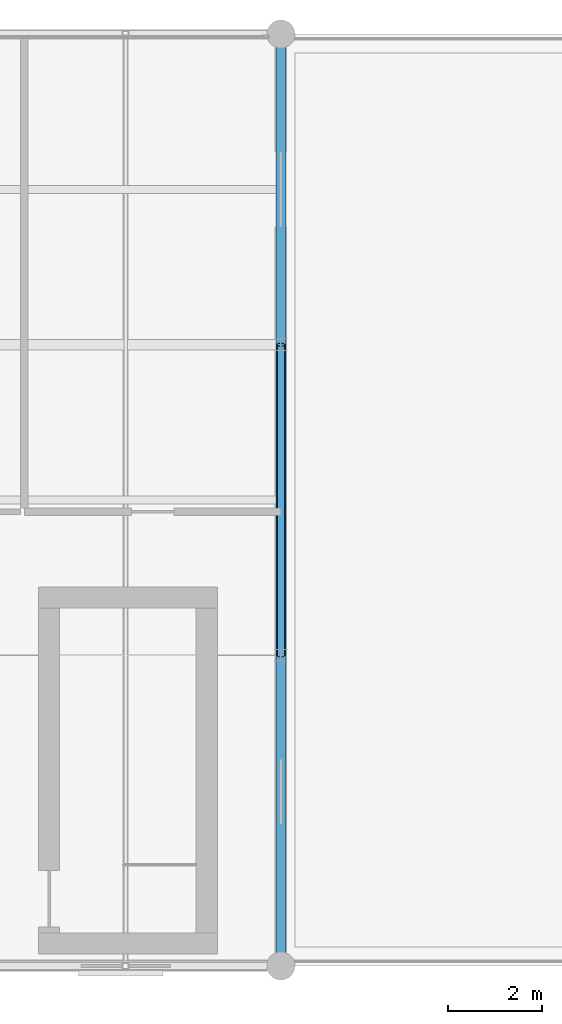
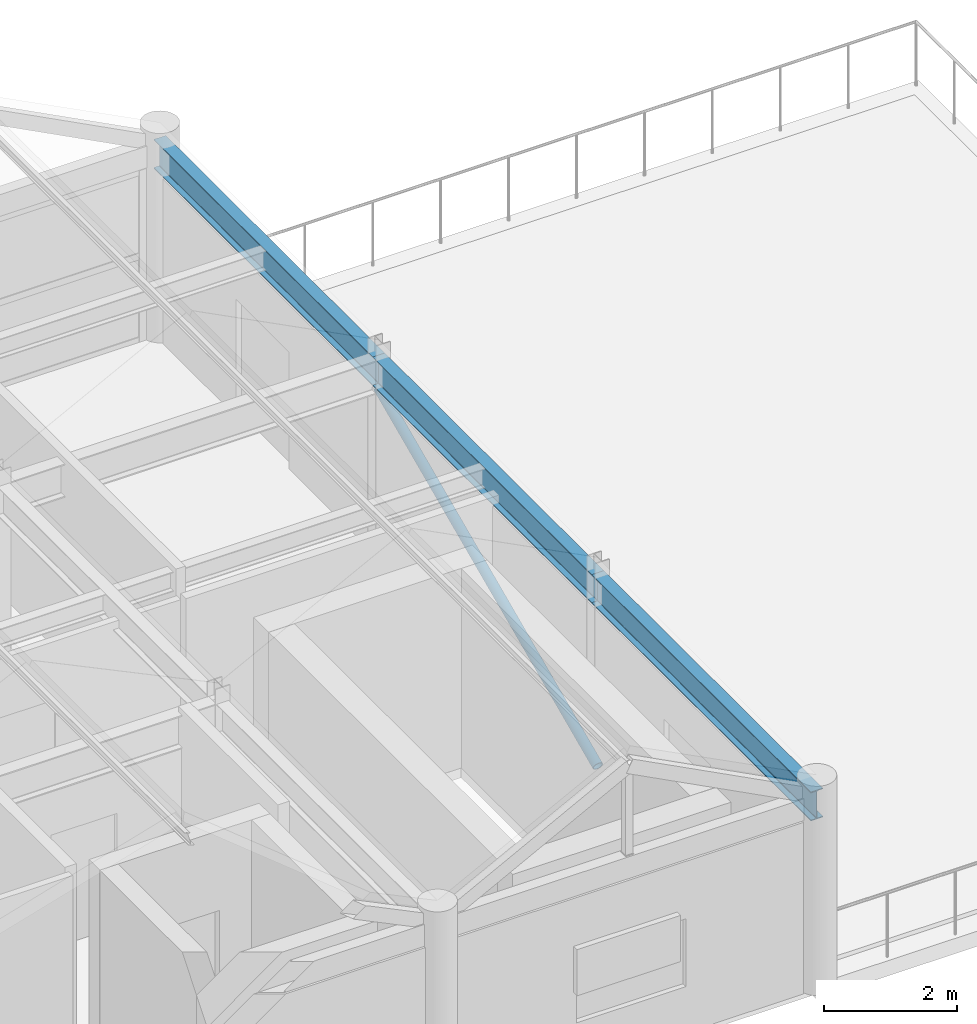
# One storey, part 13 of 21: 3 beams, 1 member.
"""IFC4 building model written with IfcOpenShell, lengths in metres."""

from ifc_helpers import new_model, si_unit, direction, frame, origin, origin_2d, place, context, subcontext, project, spatial, hollow_circle, i_section, extrude, material, material_profile, profile_set, type_object, element, save


model = new_model("IFC4")

# Units and contexts
model_context = context("Model", 3, precision=1e-05, world=origin(), true_north=direction((0.0, 1.0)))
body_context = subcontext(model_context, "Body", "Model", "MODEL_VIEW")
ifc_project = project(units=[si_unit("LENGTHUNIT", "METRE"), si_unit("AREAUNIT", "SQUARE_METRE"), si_unit("VOLUMEUNIT", "CUBIC_METRE"), si_unit("PLANEANGLEUNIT", "RADIAN"), si_unit("MASSUNIT", "GRAM", prefix="KILO")], contexts=[model_context])

# Site, building, storey
site_placement = place(None, origin())
site = spatial("IfcSite", under=ifc_project, at=site_placement, CompositionType="ELEMENT")
building_placement = place(site_placement, origin())
building = spatial("IfcBuilding", under=site, at=building_placement, Name="Karori Crest Natural Sciences Institute", CompositionType="ELEMENT")
storey_placement = place(building_placement, frame((0.0, 0.0, 42.0)))
storey = spatial("IfcBuildingStorey", under=building, at=storey_placement, Name="L10", CompositionType="ELEMENT", Elevation=42.0)

# Beams
ifc_material_1 = material(Name="Structural steel AS/NZS 3679.1 Grade 350", Category="steel")
ifc_material_profile_1 = material_profile(ifc_material_1, i_section(OverallWidth=0.208984375, OverallDepth=0.532958984375, WebThickness=0.01025390625, FlangeThickness=0.015625, FilletRadius=0.013916015625, at=origin_2d()), Name="530UB92.4")
ifc_profile_set_1 = profile_set([ifc_material_profile_1], Name="Structural steel AS/NZS 3679.1 Grade 350")
beam_type = type_object("IfcBeamType", Name="BT-05-EL", PredefinedType="BEAM", material=ifc_profile_set_1)
beam_placement = place(storey_placement, frame((136.60009765625, 0.800048828125, 3.303466796875), z_axis=(0.0, 1.0, 0.0), x_axis=(-1.0, 0.0, 0.0)))
element("IfcBeam", 1, at=beam_placement, inside=storey, type_object=beam_type, Name="Beam B-2862", PredefinedType="BEAM", context=body_context, shape_type="SweptSolid", body=[
    extrude(i_section(OverallWidth=0.208984375, OverallDepth=0.532958984375, WebThickness=0.01025390625, FlangeThickness=0.015625, FilletRadius=0.013916015625, at=origin_2d()), origin(), (0.0, 0.0, 1.0), 6.599853515625),
])
for number, where, z_axis, x_axis, name in (
    (2, (136.60009765625, 7.39990234375, 3.303466796875), (0.0, 1.0, 0.0), (-1.0, 0.0, 0.0), "Beam B-2863"),
    (3, (136.60009765625, 14.0, 3.303466796875), (0.0, 1.0, 0.0), (-1.0, 0.0, 0.0), "Beam B-2864"),
):
    element("IfcBeam", number, at=place(storey_placement, frame(where, z_axis=z_axis, x_axis=x_axis)), inside=storey, type_object=beam_type, Name=name, PredefinedType="BEAM", context=body_context, shape_type="SweptSolid", body=[
        extrude(i_section(OverallWidth=0.208984375, OverallDepth=0.532958984375, WebThickness=0.01025390625, FlangeThickness=0.015625, FilletRadius=0.013916015625, at=origin_2d()), origin(), (0.0, 0.0, 1.0), 6.60009765625),
    ])

# Member
ifc_material_2 = material(Name="Hollow structural steel AS/NZS 1163 Grade C350", Category="steel")
ifc_material_profile_2 = material_profile(ifc_material_2, hollow_circle(Radius=0.084228515625, WallThickness=0.007080078125, at=origin_2d()), Name="CHS168.3x7.1")
ifc_profile_set_2 = profile_set([ifc_material_profile_2], Name="Hollow structural steel AS/NZS 1163 Grade C350")
member_type = type_object("IfcMemberType", Name="MT-03", PredefinedType="BRACE", material=ifc_profile_set_2)
member_placement = place(storey_placement, frame((136.60009765625, 7.39990234375, 0.010009765625), z_axis=(0.0, 0.912543210458, 0.408980303984), x_axis=(-1.0, 0.0, 0.0)))
element("IfcMember", 4, at=member_placement, inside=storey, type_object=member_type, Name="Diagonal Brace M-0460", PredefinedType="BRACE", context=body_context, shape_type="SweptSolid", body=[
    extrude(hollow_circle(Radius=0.084228515625, WallThickness=0.007080078125, at=origin_2d()), origin(), (0.0, 0.0, 1.0), 7.232666015625),
])

save(model, "model.ifc")
